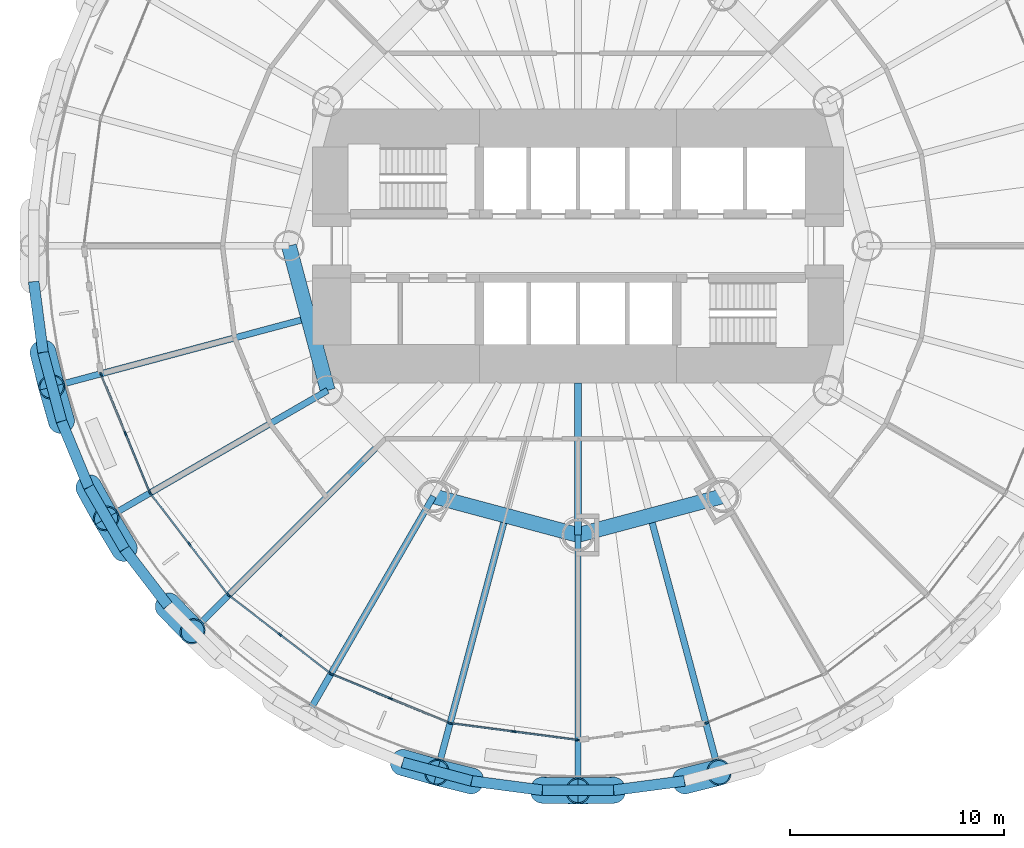
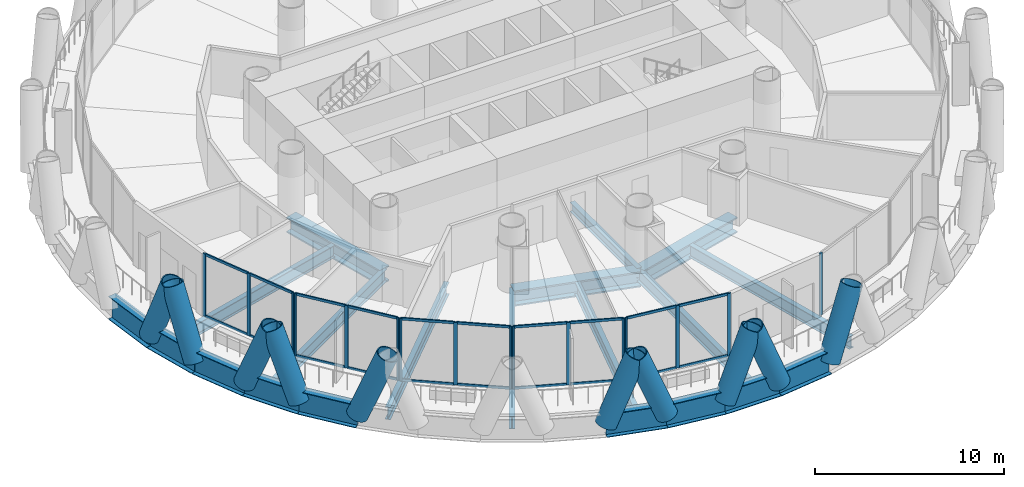
# One storey, part 2 of 16: 46 members, 20 beams, 6 elements without a shape of their own.
"""IFC4 building model written with IfcOpenShell, lengths in metres."""

from ifc_helpers import new_model, si_unit, direction, frame, origin, origin_2d, place, context, subcontext, project, spatial, rectangle, hollow_circle, i_section, extrude, material, material_profile, profile_set, type_object, element, aggregate, save


model = new_model("IFC4")

# Units and contexts
model_context = context("Model", 3, precision=1e-05, world=origin(), true_north=direction((0.0, 1.0)))
body_context = subcontext(model_context, "Body", "Model", "MODEL_VIEW")
ifc_project = project(units=[si_unit("LENGTHUNIT", "METRE"), si_unit("AREAUNIT", "SQUARE_METRE"), si_unit("VOLUMEUNIT", "CUBIC_METRE"), si_unit("PLANEANGLEUNIT", "RADIAN"), si_unit("MASSUNIT", "GRAM", prefix="KILO")], contexts=[model_context])

# Site, building, storey
site_placement = place(None, origin())
site = spatial("IfcSite", under=ifc_project, at=site_placement, CompositionType="ELEMENT")
building_placement = place(site_placement, origin())
building = spatial("IfcBuilding", under=site, at=building_placement, Name="Qaws Media Tower", CompositionType="ELEMENT")
storey_placement = place(building_placement, frame((0.0, 0.0, 89.0)))
storey = spatial("IfcBuildingStorey", under=building, at=storey_placement, Name="L19", CompositionType="ELEMENT", Elevation=89.0)

# Curtain wall, members
ifc_material_1 = material(Name="Aluminium and clear glass", Category="aluminium")
curtain_wall_type = type_object("IfcCurtainWallType", Name="Unitised curtain wall CW-A", PredefinedType="NOTDEFINED", material=ifc_material_1)
curtain_wall_1_placement = place(storey_placement, origin())
curtain_wall_1 = element("IfcCurtainWall", 1, at=curtain_wall_1_placement, inside=storey, type_object=curtain_wall_type, Name="CWA curtain wall L19-14", PredefinedType="NOTDEFINED")
ifc_material_2 = material(Name="Aluminium mullion", Category="aluminium")
ifc_material_profile_1 = material_profile(ifc_material_2, rectangle(XDim=0.080078125, YDim=0.199951171875, at=origin_2d()), Name="80x200")
ifc_profile_set_1 = profile_set([ifc_material_profile_1], Name="Aluminium mullion")
member_type_1 = type_object("IfcMemberType", Name="Curtain wall mullion 80x200", PredefinedType="MULLION", material=ifc_profile_set_1)
member_1_placement = place(storey_placement, frame((37.7265625, 43.99072265625, 0.0), z_axis=(0.0, 0.0, 1.0), x_axis=(0.923879558466, 0.382683369704, 0.0)))
member_1 = element("IfcMember", 2, at=member_1_placement, type_object=member_type_1, Name="CWA mullion 1", PredefinedType="MULLION", context=body_context, shape_type="SweptSolid", body=[
    extrude(rectangle(XDim=0.080078125, YDim=0.199951171875, at=origin_2d()), origin(), (0.0, 0.0, 1.0), 4.0400390625),
])
member_2_placement = place(storey_placement, frame((38.86376953125, 41.2451171875, 0.0), z_axis=(0.0, 0.0, 1.0), x_axis=(0.923879558466, 0.382683369704, 0.0)))
member_2 = element("IfcMember", 3, at=member_2_placement, type_object=member_type_1, Name="CWA mullion 2", PredefinedType="MULLION", context=body_context, shape_type="SweptSolid", body=[
    extrude(rectangle(XDim=0.080078125, YDim=0.199951171875, at=origin_2d()), origin(), (0.0, 0.0, 1.0), 4.0400390625),
])
member_3_placement = place(storey_placement, frame((40.001220703125, 38.49951171875, 0.0), z_axis=(0.0, 0.0, 1.0), x_axis=(0.923879558466, 0.382683369704, 0.0)))
member_3 = element("IfcMember", 4, at=member_3_placement, type_object=member_type_1, Name="CWA mullion 3", PredefinedType="MULLION", context=body_context, shape_type="SweptSolid", body=[
    extrude(rectangle(XDim=0.080078125, YDim=0.199951171875, at=origin_2d()), origin(), (0.0, 0.0, 1.0), 4.0400390625),
])

curtain_wall_2_placement = place(storey_placement, origin())
curtain_wall_2 = element("IfcCurtainWall", 5, at=curtain_wall_2_placement, inside=storey, type_object=curtain_wall_type, Name="CWA curtain wall L19-15", PredefinedType="NOTDEFINED")
member_4_placement = place(storey_placement, frame((40.040771484375, 38.4306640625, 0.0), z_axis=(0.0, 0.0, 1.0), x_axis=(0.793353359129, 0.608761404459, 0.0)))
member_4 = element("IfcMember", 6, at=member_4_placement, type_object=member_type_1, Name="CWA mullion 1", PredefinedType="MULLION", context=body_context, shape_type="SweptSolid", body=[
    extrude(rectangle(XDim=0.080078125, YDim=0.199951171875, at=origin_2d()), origin(), (0.0, 0.0, 1.0), 4.0400390625),
])
member_5_placement = place(storey_placement, frame((41.85009765625, 36.072998046875, 0.0), z_axis=(0.0, 0.0, 1.0), x_axis=(0.793353359129, 0.608761404459, 0.0)))
member_5 = element("IfcMember", 7, at=member_5_placement, type_object=member_type_1, Name="CWA mullion 2", PredefinedType="MULLION", context=body_context, shape_type="SweptSolid", body=[
    extrude(rectangle(XDim=0.080078125, YDim=0.199951171875, at=origin_2d()), origin(), (0.0, 0.0, 1.0), 4.0400390625),
])
member_6_placement = place(storey_placement, frame((43.6591796875, 33.71533203125, 0.0), z_axis=(0.0, 0.0, 1.0), x_axis=(0.793353359129, 0.608761404459, 0.0)))
member_6 = element("IfcMember", 8, at=member_6_placement, type_object=member_type_1, Name="CWA mullion 3", PredefinedType="MULLION", context=body_context, shape_type="SweptSolid", body=[
    extrude(rectangle(XDim=0.080078125, YDim=0.199951171875, at=origin_2d()), origin(), (0.0, 0.0, 1.0), 4.0400390625),
])

curtain_wall_3_placement = place(storey_placement, origin())
curtain_wall_3 = element("IfcCurtainWall", 9, at=curtain_wall_3_placement, inside=storey, type_object=curtain_wall_type, Name="CWA curtain wall L19-16", PredefinedType="NOTDEFINED")
member_7_placement = place(storey_placement, frame((43.71533203125, 33.6591796875, 0.0), z_axis=(0.0, 0.0, 1.0), x_axis=(0.608761404459, 0.793353359129, 0.0)))
member_7 = element("IfcMember", 10, at=member_7_placement, type_object=member_type_1, Name="CWA mullion 1", PredefinedType="MULLION", context=body_context, shape_type="SweptSolid", body=[
    extrude(rectangle(XDim=0.080078125, YDim=0.199951171875, at=origin_2d()), origin(), (0.0, 0.0, 1.0), 4.0400390625),
])
member_8_placement = place(storey_placement, frame((46.072998046875, 31.85009765625, 0.0), z_axis=(0.0, 0.0, 1.0), x_axis=(0.608761404459, 0.793353359129, 0.0)))
member_8 = element("IfcMember", 11, at=member_8_placement, type_object=member_type_1, Name="CWA mullion 2", PredefinedType="MULLION", context=body_context, shape_type="SweptSolid", body=[
    extrude(rectangle(XDim=0.080078125, YDim=0.199951171875, at=origin_2d()), origin(), (0.0, 0.0, 1.0), 4.0400390625),
])
member_9_placement = place(storey_placement, frame((48.4306640625, 30.040771484375, 0.0), z_axis=(0.0, 0.0, 1.0), x_axis=(0.608761404459, 0.793353359129, 0.0)))
member_9 = element("IfcMember", 12, at=member_9_placement, type_object=member_type_1, Name="CWA mullion 3", PredefinedType="MULLION", context=body_context, shape_type="SweptSolid", body=[
    extrude(rectangle(XDim=0.080078125, YDim=0.199951171875, at=origin_2d()), origin(), (0.0, 0.0, 1.0), 4.0400390625),
])

curtain_wall_4_placement = place(storey_placement, origin())
curtain_wall_4 = element("IfcCurtainWall", 13, at=curtain_wall_4_placement, inside=storey, type_object=curtain_wall_type, Name="CWA curtain wall L19-17", PredefinedType="NOTDEFINED")
member_10_placement = place(storey_placement, frame((48.49951171875, 30.001220703125, 0.0), z_axis=(0.0, 0.0, 1.0), x_axis=(0.382683369704, 0.923879558466, 0.0)))
member_10 = element("IfcMember", 14, at=member_10_placement, type_object=member_type_1, Name="CWA mullion 1", PredefinedType="MULLION", context=body_context, shape_type="SweptSolid", body=[
    extrude(rectangle(XDim=0.080078125, YDim=0.199951171875, at=origin_2d()), origin(), (0.0, 0.0, 1.0), 4.0400390625),
])
member_11_placement = place(storey_placement, frame((51.2451171875, 28.86376953125, 0.0), z_axis=(0.0, 0.0, 1.0), x_axis=(0.382683369704, 0.923879558466, 0.0)))
member_11 = element("IfcMember", 15, at=member_11_placement, type_object=member_type_1, Name="CWA mullion 2", PredefinedType="MULLION", context=body_context, shape_type="SweptSolid", body=[
    extrude(rectangle(XDim=0.080078125, YDim=0.199951171875, at=origin_2d()), origin(), (0.0, 0.0, 1.0), 4.0400390625),
])
member_12_placement = place(storey_placement, frame((53.99072265625, 27.7265625, 0.0), z_axis=(0.0, 0.0, 1.0), x_axis=(0.382683369704, 0.923879558466, 0.0)))
member_12 = element("IfcMember", 16, at=member_12_placement, type_object=member_type_1, Name="CWA mullion 3", PredefinedType="MULLION", context=body_context, shape_type="SweptSolid", body=[
    extrude(rectangle(XDim=0.080078125, YDim=0.199951171875, at=origin_2d()), origin(), (0.0, 0.0, 1.0), 4.0400390625),
])

curtain_wall_5_placement = place(storey_placement, origin())
curtain_wall_5 = element("IfcCurtainWall", 17, at=curtain_wall_5_placement, inside=storey, type_object=curtain_wall_type, Name="CWA curtain wall L19-18", PredefinedType="NOTDEFINED")
member_13_placement = place(storey_placement, frame((54.0673828125, 27.7060546875, 0.0), z_axis=(0.0, 0.0, 1.0), x_axis=(0.130526274293, 0.991444850569, 0.0)))
member_13 = element("IfcMember", 18, at=member_13_placement, type_object=member_type_1, Name="CWA mullion 1", PredefinedType="MULLION", context=body_context, shape_type="SweptSolid", body=[
    extrude(rectangle(XDim=0.080078125, YDim=0.199951171875, at=origin_2d()), origin(), (0.0, 0.0, 1.0), 4.0400390625),
])
member_14_placement = place(storey_placement, frame((57.013916015625, 27.318115234375, 0.0), z_axis=(0.0, 0.0, 1.0), x_axis=(0.130526274293, 0.991444850569, 0.0)))
member_14 = element("IfcMember", 19, at=member_14_placement, type_object=member_type_1, Name="CWA mullion 2", PredefinedType="MULLION", context=body_context, shape_type="SweptSolid", body=[
    extrude(rectangle(XDim=0.080078125, YDim=0.199951171875, at=origin_2d()), origin(), (0.0, 0.0, 1.0), 4.0400390625),
])
member_15_placement = place(storey_placement, frame((59.96044921875, 26.93017578125, 0.0), z_axis=(0.0, 0.0, 1.0), x_axis=(0.130526274293, 0.991444850569, 0.0)))
member_15 = element("IfcMember", 20, at=member_15_placement, type_object=member_type_1, Name="CWA mullion 3", PredefinedType="MULLION", context=body_context, shape_type="SweptSolid", body=[
    extrude(rectangle(XDim=0.080078125, YDim=0.199951171875, at=origin_2d()), origin(), (0.0, 0.0, 1.0), 4.0400390625),
])

# Curtain wall, member
curtain_wall_6_placement = place(storey_placement, origin())
curtain_wall_6 = element("IfcCurtainWall", 21, at=curtain_wall_6_placement, inside=storey, type_object=curtain_wall_type, Name="CWA curtain wall L19-20", PredefinedType="NOTDEFINED")
member_16_placement = place(storey_placement, frame((66.00927734375, 27.7265625, 0.0), z_axis=(0.0, 0.0, 1.0), x_axis=(-0.382683369704, 0.923879558466, 0.0)))
member_16 = element("IfcMember", 22, at=member_16_placement, type_object=member_type_1, Name="CWA mullion 1", PredefinedType="MULLION", context=body_context, shape_type="SweptSolid", body=[
    extrude(rectangle(XDim=0.080078125, YDim=0.199951171875, at=origin_2d()), origin(), (0.0, 0.0, 1.0), 4.0400390625),
])
aggregate(curtain_wall_6, [member_16])

# Member
ifc_material_3 = material(Name="Aluminium transom", Category="aluminium")
ifc_material_profile_2 = material_profile(ifc_material_3, rectangle(XDim=0.080078125, YDim=0.159912109375, at=origin_2d()), Name="80x160")
ifc_profile_set_2 = profile_set([ifc_material_profile_2], Name="Aluminium transom")
member_type_2 = type_object("IfcMemberType", Name="Curtain wall transom 80x160", PredefinedType="USERDEFINED", material=ifc_profile_set_2)
member_17_placement = place(storey_placement, frame((37.741943359375, 43.953857421875, 0.0400390625), z_axis=(0.382672391391, -0.923884105755, 0.0), x_axis=(0.923884105755, 0.382672391391, 0.0)))
member_17 = element("IfcMember", 23, at=member_17_placement, type_object=member_type_2, Name="CWA transom 1.1", ObjectType="TRANSOM", PredefinedType="USERDEFINED", context=body_context, shape_type="SweptSolid", body=[
    extrude(rectangle(XDim=0.080078125, YDim=0.159912109375, at=origin_2d()), origin(), (0.0, 0.0, 1.0), 2.89208984375),
])

member_18_placement = place(storey_placement, frame((37.741943359375, 43.953857421875, 4.0), z_axis=(0.382672391391, -0.923884105755, 0.0), x_axis=(0.923884105755, 0.382672391391, 0.0)))
member_18 = element("IfcMember", 24, at=member_18_placement, type_object=member_type_2, Name="CWA transom 1.2", ObjectType="TRANSOM", PredefinedType="USERDEFINED", context=body_context, shape_type="SweptSolid", body=[
    extrude(rectangle(XDim=0.080078125, YDim=0.159912109375, at=origin_2d()), origin(), (0.0, 0.0, 1.0), 2.89208984375),
])

member_19_placement = place(storey_placement, frame((38.879150390625, 41.208251953125, 0.0400390625), z_axis=(0.382672391391, -0.923884105755, 0.0), x_axis=(0.923884105755, 0.382672391391, 0.0)))
member_19 = element("IfcMember", 25, at=member_19_placement, type_object=member_type_2, Name="CWA transom 2.1", ObjectType="TRANSOM", PredefinedType="USERDEFINED", context=body_context, shape_type="SweptSolid", body=[
    extrude(rectangle(XDim=0.080078125, YDim=0.159912109375, at=origin_2d()), origin(), (0.0, 0.0, 1.0), 2.89208984375),
])

member_20_placement = place(storey_placement, frame((38.879150390625, 41.208251953125, 4.0), z_axis=(0.382672391391, -0.923884105755, 0.0), x_axis=(0.923884105755, 0.382672391391, 0.0)))
member_20 = element("IfcMember", 26, at=member_20_placement, type_object=member_type_2, Name="CWA transom 2.2", ObjectType="TRANSOM", PredefinedType="USERDEFINED", context=body_context, shape_type="SweptSolid", body=[
    extrude(rectangle(XDim=0.080078125, YDim=0.159912109375, at=origin_2d()), origin(), (0.0, 0.0, 1.0), 2.89208984375),
])

aggregate(curtain_wall_1, [member_1, member_2, member_3, member_17, member_18, member_19, member_20])

member_21_placement = place(storey_placement, frame((40.065185546875, 38.39892578125, 0.0400390625), z_axis=(0.608784187232, -0.793335876774, 0.0), x_axis=(0.793335876774, 0.608784187232, 0.0)))
member_21 = element("IfcMember", 27, at=member_21_placement, type_object=member_type_2, Name="CWA transom 1.1", ObjectType="TRANSOM", PredefinedType="USERDEFINED", context=body_context, shape_type="SweptSolid", body=[
    extrude(rectangle(XDim=0.080078125, YDim=0.159912109375, at=origin_2d()), origin(), (0.0, 0.0, 1.0), 2.891845703125),
])

member_22_placement = place(storey_placement, frame((40.065185546875, 38.39892578125, 4.0), z_axis=(0.608784187232, -0.793335876774, 0.0), x_axis=(0.793335876774, 0.608784187232, 0.0)))
member_22 = element("IfcMember", 28, at=member_22_placement, type_object=member_type_2, Name="CWA transom 1.2", ObjectType="TRANSOM", PredefinedType="USERDEFINED", context=body_context, shape_type="SweptSolid", body=[
    extrude(rectangle(XDim=0.080078125, YDim=0.159912109375, at=origin_2d()), origin(), (0.0, 0.0, 1.0), 2.891845703125),
])

member_23_placement = place(storey_placement, frame((41.874267578125, 36.041259765625, 0.0400390625), z_axis=(0.608784187232, -0.793335876774, 0.0), x_axis=(0.793335876774, 0.608784187232, 0.0)))
member_23 = element("IfcMember", 29, at=member_23_placement, type_object=member_type_2, Name="CWA transom 2.1", ObjectType="TRANSOM", PredefinedType="USERDEFINED", context=body_context, shape_type="SweptSolid", body=[
    extrude(rectangle(XDim=0.080078125, YDim=0.159912109375, at=origin_2d()), origin(), (0.0, 0.0, 1.0), 2.891845703125),
])

member_24_placement = place(storey_placement, frame((41.874267578125, 36.041259765625, 4.0), z_axis=(0.608784187232, -0.793335876774, 0.0), x_axis=(0.793335876774, 0.608784187232, 0.0)))
member_24 = element("IfcMember", 30, at=member_24_placement, type_object=member_type_2, Name="CWA transom 2.2", ObjectType="TRANSOM", PredefinedType="USERDEFINED", context=body_context, shape_type="SweptSolid", body=[
    extrude(rectangle(XDim=0.080078125, YDim=0.159912109375, at=origin_2d()), origin(), (0.0, 0.0, 1.0), 2.891845703125),
])

aggregate(curtain_wall_2, [member_4, member_5, member_6, member_21, member_22, member_23, member_24])

member_25_placement = place(storey_placement, frame((43.7470703125, 33.634765625, 0.0400390625), z_axis=(0.793335876774, -0.608784187232, 0.0), x_axis=(0.608784187232, 0.793335876774, 0.0)))
member_25 = element("IfcMember", 31, at=member_25_placement, type_object=member_type_2, Name="CWA transom 1.1", ObjectType="TRANSOM", PredefinedType="USERDEFINED", context=body_context, shape_type="SweptSolid", body=[
    extrude(rectangle(XDim=0.080078125, YDim=0.159912109375, at=origin_2d()), origin(), (0.0, 0.0, 1.0), 2.891845703125),
])

member_26_placement = place(storey_placement, frame((43.7470703125, 33.634765625, 4.0), z_axis=(0.793335876774, -0.608784187232, 0.0), x_axis=(0.608784187232, 0.793335876774, 0.0)))
member_26 = element("IfcMember", 32, at=member_26_placement, type_object=member_type_2, Name="CWA transom 1.2", ObjectType="TRANSOM", PredefinedType="USERDEFINED", context=body_context, shape_type="SweptSolid", body=[
    extrude(rectangle(XDim=0.080078125, YDim=0.159912109375, at=origin_2d()), origin(), (0.0, 0.0, 1.0), 2.891845703125),
])

member_27_placement = place(storey_placement, frame((46.104736328125, 31.82568359375, 0.0400390625), z_axis=(0.793335876774, -0.608784187232, 0.0), x_axis=(0.608784187232, 0.793335876774, 0.0)))
member_27 = element("IfcMember", 33, at=member_27_placement, type_object=member_type_2, Name="CWA transom 2.1", ObjectType="TRANSOM", PredefinedType="USERDEFINED", context=body_context, shape_type="SweptSolid", body=[
    extrude(rectangle(XDim=0.080078125, YDim=0.159912109375, at=origin_2d()), origin(), (0.0, 0.0, 1.0), 2.891845703125),
])

member_28_placement = place(storey_placement, frame((46.104736328125, 31.82568359375, 4.0), z_axis=(0.793335876774, -0.608784187232, 0.0), x_axis=(0.608784187232, 0.793335876774, 0.0)))
member_28 = element("IfcMember", 34, at=member_28_placement, type_object=member_type_2, Name="CWA transom 2.2", ObjectType="TRANSOM", PredefinedType="USERDEFINED", context=body_context, shape_type="SweptSolid", body=[
    extrude(rectangle(XDim=0.080078125, YDim=0.159912109375, at=origin_2d()), origin(), (0.0, 0.0, 1.0), 2.891845703125),
])

aggregate(curtain_wall_3, [member_7, member_8, member_9, member_25, member_26, member_27, member_28])

member_29_placement = place(storey_placement, frame((48.536376953125, 29.98583984375, 0.0400390625), z_axis=(0.923884105755, -0.382672391391, 0.0), x_axis=(0.382672391391, 0.923884105755, 0.0)))
member_29 = element("IfcMember", 35, at=member_29_placement, type_object=member_type_2, Name="CWA transom 1.1", ObjectType="TRANSOM", PredefinedType="USERDEFINED", context=body_context, shape_type="SweptSolid", body=[
    extrude(rectangle(XDim=0.080078125, YDim=0.159912109375, at=origin_2d()), origin(), (0.0, 0.0, 1.0), 2.89208984375),
])

member_30_placement = place(storey_placement, frame((48.536376953125, 29.98583984375, 4.0), z_axis=(0.923884105755, -0.382672391391, 0.0), x_axis=(0.382672391391, 0.923884105755, 0.0)))
member_30 = element("IfcMember", 36, at=member_30_placement, type_object=member_type_2, Name="CWA transom 1.2", ObjectType="TRANSOM", PredefinedType="USERDEFINED", context=body_context, shape_type="SweptSolid", body=[
    extrude(rectangle(XDim=0.080078125, YDim=0.159912109375, at=origin_2d()), origin(), (0.0, 0.0, 1.0), 2.89208984375),
])

member_31_placement = place(storey_placement, frame((51.281982421875, 28.8486328125, 0.0400390625), z_axis=(0.923884105755, -0.382672391391, 0.0), x_axis=(0.382672391391, 0.923884105755, 0.0)))
member_31 = element("IfcMember", 37, at=member_31_placement, type_object=member_type_2, Name="CWA transom 2.1", ObjectType="TRANSOM", PredefinedType="USERDEFINED", context=body_context, shape_type="SweptSolid", body=[
    extrude(rectangle(XDim=0.080078125, YDim=0.159912109375, at=origin_2d()), origin(), (0.0, 0.0, 1.0), 2.89208984375),
])

member_32_placement = place(storey_placement, frame((51.281982421875, 28.8486328125, 4.0), z_axis=(0.923884105755, -0.382672391391, 0.0), x_axis=(0.382672391391, 0.923884105755, 0.0)))
member_32 = element("IfcMember", 38, at=member_32_placement, type_object=member_type_2, Name="CWA transom 2.2", ObjectType="TRANSOM", PredefinedType="USERDEFINED", context=body_context, shape_type="SweptSolid", body=[
    extrude(rectangle(XDim=0.080078125, YDim=0.159912109375, at=origin_2d()), origin(), (0.0, 0.0, 1.0), 2.89208984375),
])

aggregate(curtain_wall_4, [member_10, member_11, member_12, member_29, member_30, member_31, member_32])

member_33_placement = place(storey_placement, frame((54.107177734375, 27.700927734375, 0.0400390625), z_axis=(0.991433880547, -0.130609572784, 0.0), x_axis=(0.130609572784, 0.991433880547, 0.0)))
member_33 = element("IfcMember", 39, at=member_33_placement, type_object=member_type_2, Name="CWA transom 1.1", ObjectType="TRANSOM", PredefinedType="USERDEFINED", context=body_context, shape_type="SweptSolid", body=[
    extrude(rectangle(XDim=0.080078125, YDim=0.159912109375, at=origin_2d()), origin(), (0.0, 0.0, 1.0), 2.8916015625),
])

member_34_placement = place(storey_placement, frame((54.107177734375, 27.700927734375, 4.0), z_axis=(0.991433880547, -0.130609572784, 0.0), x_axis=(0.130609572784, 0.991433880547, 0.0)))
member_34 = element("IfcMember", 40, at=member_34_placement, type_object=member_type_2, Name="CWA transom 1.2", ObjectType="TRANSOM", PredefinedType="USERDEFINED", context=body_context, shape_type="SweptSolid", body=[
    extrude(rectangle(XDim=0.080078125, YDim=0.159912109375, at=origin_2d()), origin(), (0.0, 0.0, 1.0), 2.8916015625),
])

member_35_placement = place(storey_placement, frame((57.053466796875, 27.31298828125, 0.0400390625), z_axis=(0.99144624804, -0.130515659015, 0.0), x_axis=(0.130515659015, 0.99144624804, 0.0)))
member_35 = element("IfcMember", 41, at=member_35_placement, type_object=member_type_2, Name="CWA transom 2.1", ObjectType="TRANSOM", PredefinedType="USERDEFINED", context=body_context, shape_type="SweptSolid", body=[
    extrude(rectangle(XDim=0.080078125, YDim=0.159912109375, at=origin_2d()), origin(), (0.0, 0.0, 1.0), 2.891845703125),
])

member_36_placement = place(storey_placement, frame((57.053466796875, 27.31298828125, 4.0), z_axis=(0.99144624804, -0.130515659015, 0.0), x_axis=(0.130515659015, 0.99144624804, 0.0)))
member_36 = element("IfcMember", 42, at=member_36_placement, type_object=member_type_2, Name="CWA transom 2.2", ObjectType="TRANSOM", PredefinedType="USERDEFINED", context=body_context, shape_type="SweptSolid", body=[
    extrude(rectangle(XDim=0.080078125, YDim=0.159912109375, at=origin_2d()), origin(), (0.0, 0.0, 1.0), 2.891845703125),
])

aggregate(curtain_wall_5, [member_13, member_14, member_15, member_33, member_34, member_35, member_36])

# Members
ifc_material_4 = material(Name="Steel S460", Category="steel")
ifc_material_profile_3 = material_profile(ifc_material_4, hollow_circle(Radius=0.609619140625, WallThickness=0.06005859375, at=origin_2d()), Name="CHS 1219x60")
ifc_profile_set_3 = profile_set([ifc_material_profile_3], Name="Steel S460")
member_type_3 = type_object("IfcMemberType", Name="Diagrid member CHS 1219x60", PredefinedType="USERDEFINED", material=ifc_profile_set_3)
for number, where, z_axis, x_axis, name in (
    (43, (35.014404296875, 45.030029296875, -0.909912109375), (0.089152749117, -0.357853731759, 0.929511965491), (0.970340396506, 0.241742662575, 0.0), "DG1 diagrid L19 A13"),
    (44, (37.152099609375, 38.732666015625, -0.909912109375), (0.178735386031, -0.322620613661, 0.929499651114), (0.874730213858, 0.484610207242, 0.0), "DG1 diagrid L19 A14"),
    (45, (35.876953125, 41.811279296875, -0.909912109375), (-0.101741339373, 0.354500758165, 0.929504121736), (-0.961197096525, -0.275862541191, 0.0), "DG1 diagrid L19 B14"),
    (46, (40.846923828125, 33.203125, -0.909912109375), (0.256111948057, -0.265351429728, 0.929513468866), (0.719522626734, 0.694468998313, 0.0), "DG1 diagrid L19 A15"),
):
    element("IfcMember", number, at=place(storey_placement, frame(where, z_axis=z_axis, x_axis=x_axis)), inside=storey, type_object=member_type_3, Name=name, ObjectType="DIAGRID", PredefinedType="USERDEFINED", context=body_context, shape_type="SweptSolid", body=[
        extrude(hollow_circle(Radius=0.609619140625, WallThickness=0.06005859375, at=origin_2d()), origin(), (0.0, 0.0, 1.0), 4.5185546875),
    ])
member_37_placement = place(storey_placement, frame((38.818359375, 35.846923828125, -0.909912109375), z_axis=(-0.190032249438, 0.316036004254, 0.929520837953), x_axis=(-0.857001258538, -0.515314314631, 0.0)))
element("IfcMember", 47, at=member_37_placement, inside=storey, type_object=member_type_3, Name="DG1 diagrid L19 B15", ObjectType="DIAGRID", PredefinedType="USERDEFINED", context=body_context, shape_type="SweptSolid", body=[
    extrude(hollow_circle(Radius=0.609619140625, WallThickness=0.06005859375, at=origin_2d()), origin(), (0.0, 0.0, 1.0), 4.518310546875),
])
for number, where, z_axis, x_axis, name in (
    (48, (51.811279296875, 25.876953125, -0.909912109375), (0.354500758165, -0.101741339373, 0.929504121736), (0.275862541191, 0.961197096525, 0.0), "DG1 diagrid L19 A17"),
    (49, (58.333740234375, 24.57958984375, -0.909912109375), (0.368763540313, -0.006537785843, 0.929500246741), (0.017726152148, 0.999842879422, 0.0), "DG1 diagrid L19 A18"),
    (50, (55.030029296875, 25.014404296875, -0.909912109375), (-0.357853731759, 0.089152749117, 0.929511965491), (-0.241742662575, -0.970340396506, 0.0), "DG1 diagrid L19 B18"),
    (51, (64.969970703125, 25.014404296875, -0.909912109375), (0.357853731759, 0.089152749117, 0.929511965491), (-0.241742662575, 0.970340396506, 0.0), "DG1 diagrid L19 A19"),
    (52, (61.666259765625, 24.57958984375, -0.909912109375), (-0.368763540313, -0.006537785843, 0.929500246741), (0.017726152148, -0.999842879422, 0.0), "DG1 diagrid L19 B19"),
):
    element("IfcMember", number, at=place(storey_placement, frame(where, z_axis=z_axis, x_axis=x_axis)), inside=storey, type_object=member_type_3, Name=name, ObjectType="DIAGRID", PredefinedType="USERDEFINED", context=body_context, shape_type="SweptSolid", body=[
        extrude(hollow_circle(Radius=0.609619140625, WallThickness=0.06005859375, at=origin_2d()), origin(), (0.0, 0.0, 1.0), 4.5185546875),
    ])

# Beams
ifc_material_5 = material(Name="Steel S460", Category="steel")
ifc_material_profile_4 = material_profile(ifc_material_5, i_section(OverallWidth=0.5, OverallDepth=1.5, WebThickness=0.02001953125, FlangeThickness=0.0400390625, at=origin_2d()), Name="PG 1500x500")
ifc_profile_set_4 = profile_set([ifc_material_profile_4], Name="Steel S460")
beam_type_1 = type_object("IfcBeamType", Name="Edge ring beam PG 1500x500", PredefinedType="BEAM", material=ifc_profile_set_4)
for number, where, z_axis, x_axis, name in (
    (53, (34.57958984375, 48.333740234375, -0.909912109375), (0.130488627311, -0.991449806164, 0.0), (0.991449806164, 0.130488627311, 0.0), "RB4 edge ring beam L19-25"),
    (54, (35.014404296875, 45.030029296875, -0.909912109375), (0.258843506265, -0.965919271608, 0.0), (0.965919271608, 0.258843506265, 0.0), "RB4 edge ring beam L19-26"),
    (55, (35.876953125, 41.811279296875, -0.909912109375), (0.38266885996, -0.923885568465, 0.0), (0.923885568465, 0.38266885996, 0.0), "RB4 edge ring beam L19-27"),
    (56, (37.152099609375, 38.732666015625, -0.909912109375), (0.500039553057, -0.866002566612, 0.0), (0.866002566612, 0.500039553057, 0.0), "RB4 edge ring beam L19-28"),
    (57, (38.818359375, 35.846923828125, -0.909912109375), (0.608743723817, -0.793366925649, 0.0), (0.793366925649, 0.608743723817, 0.0), "RB4 edge ring beam L19-29"),
    (58, (51.811279296875, 25.876953125, -0.909912109375), (0.965919271608, -0.258843506265, 0.0), (0.258843506265, 0.965919271608, 0.0), "RB4 edge ring beam L19-34"),
    (59, (55.030029296875, 25.014404296875, -0.909912109375), (0.991449806164, -0.130488627311, 0.0), (0.130488627311, 0.991449806164, 0.0), "RB4 edge ring beam L19-35"),
):
    element("IfcBeam", number, at=place(storey_placement, frame(where, z_axis=z_axis, x_axis=x_axis)), inside=storey, type_object=beam_type_1, Name=name, PredefinedType="BEAM", context=body_context, shape_type="SweptSolid", body=[
        extrude(i_section(OverallWidth=0.5, OverallDepth=1.5, WebThickness=0.02001953125, FlangeThickness=0.0400390625, at=origin_2d()), origin(), (0.0, 0.0, 1.0), 3.332275390625),
    ])
beam_1_placement = place(storey_placement, frame((58.333740234375, 24.57958984375, -0.909912109375), z_axis=(1.0, 0.0, 0.0), x_axis=(0.0, 1.0, 0.0)))
element("IfcBeam", 60, at=beam_1_placement, inside=storey, type_object=beam_type_1, Name="RB4 edge ring beam L19-36", PredefinedType="BEAM", context=body_context, shape_type="SweptSolid", body=[
    extrude(i_section(OverallWidth=0.5, OverallDepth=1.5, WebThickness=0.02001953125, FlangeThickness=0.0400390625, at=origin_2d()), origin(), (0.0, 0.0, 1.0), 3.33251953125),
])
beam_2_placement = place(storey_placement, frame((61.666259765625, 24.57958984375, -0.909912109375), z_axis=(0.991449806164, 0.130488627311, 0.0), x_axis=(-0.130488627311, 0.991449806164, 0.0)))
element("IfcBeam", 61, at=beam_2_placement, inside=storey, type_object=beam_type_1, Name="RB4 edge ring beam L19-37", PredefinedType="BEAM", context=body_context, shape_type="SweptSolid", body=[
    extrude(i_section(OverallWidth=0.5, OverallDepth=1.5, WebThickness=0.02001953125, FlangeThickness=0.0400390625, at=origin_2d()), origin(), (0.0, 0.0, 1.0), 3.332275390625),
])
ifc_material_6 = material(Name="Steel S460", Category="steel")
ifc_material_profile_5 = material_profile(ifc_material_6, i_section(OverallWidth=0.699951171875, OverallDepth=1.0, WebThickness=0.034912109375, FlangeThickness=0.090087890625, at=origin_2d()), Name="PG 1000x700")
ifc_profile_set_5 = profile_set([ifc_material_profile_5], Name="Steel S460")
beam_type_2 = type_object("IfcBeamType", Name="Inner ring girder PG 1000x700", PredefinedType="BEAM", material=ifc_profile_set_5)
for number, where, z_axis, x_axis, name in (
    (62, (46.5, 50.0, -0.659912109375), (0.258810593767, -0.965928090778, 0.0), (0.965928090778, 0.258810593767, 0.0), "B3 inner ring beam L19 I07-I08"),
    (63, (53.25, 38.30859375, -0.659912109375), (0.965928090778, -0.258810593767, 0.0), (0.258810593767, 0.965928090778, 0.0), "B3 inner ring beam L19 I09-I10"),
    (64, (60.0, 36.5, -0.659912109375), (0.965928090778, 0.258810593767, 0.0), (-0.258810593767, 0.965928090778, 0.0), "B3 inner ring beam L19 I10-I11"),
):
    element("IfcBeam", number, at=place(storey_placement, frame(where, z_axis=z_axis, x_axis=x_axis)), inside=storey, type_object=beam_type_2, Name=name, PredefinedType="BEAM", context=body_context, shape_type="SweptSolid", body=[
        extrude(i_section(OverallWidth=0.699951171875, OverallDepth=1.0, WebThickness=0.034912109375, FlangeThickness=0.090087890625, at=origin_2d()), origin(), (0.0, 0.0, 1.0), 6.988037109375),
    ])
ifc_material_7 = material(Name="Steel S355", Category="steel")
ifc_material_profile_6 = material_profile(ifc_material_7, i_section(OverallWidth=0.304931640625, OverallDepth=0.6201171875, WebThickness=0.02099609375, FlangeThickness=0.0400390625, FilletRadius=0.027099609375, at=origin_2d()), Name="HE 600 M")
ifc_profile_set_6 = profile_set([ifc_material_profile_6], Name="Steel S355")
beam_type_3 = type_object("IfcBeamType", Name="Radial beam HE 600 M, core side", PredefinedType="BEAM", material=ifc_profile_set_6)
beam_3_placement = place(storey_placement, frame((60.0, 43.60009765625, -0.469970703125), z_axis=(0.0, -1.0, 0.0), x_axis=(1.0, 0.0, 0.0)))
element("IfcBeam", 65, at=beam_3_placement, inside=storey, type_object=beam_type_3, Name="B2 radial beam L19 19", PredefinedType="BEAM", context=body_context, shape_type="SweptSolid", body=[
    extrude(i_section(OverallWidth=0.304931640625, OverallDepth=0.6201171875, WebThickness=0.02099609375, FlangeThickness=0.0400390625, FilletRadius=0.027099609375, at=origin_2d()), origin(), (0.0, 0.0, 1.0), 7.10009765625),
])
ifc_material_8 = material(Name="Steel S355", Category="steel")
ifc_material_profile_7 = material_profile(ifc_material_8, i_section(OverallWidth=0.300048828125, OverallDepth=0.800048828125, WebThickness=0.017578125, FlangeThickness=0.032958984375, FilletRadius=0.030029296875, at=origin_2d()), Name="HE 800 B")
ifc_profile_set_7 = profile_set([ifc_material_profile_7], Name="Steel S355")
beam_type_4 = type_object("IfcBeamType", Name="Radial beam HE 800 B", PredefinedType="BEAM", material=ifc_profile_set_7)
beam_4_placement = place(storey_placement, frame((47.066162109375, 46.534423828125, -0.56005859375), z_axis=(-0.9659236838, -0.258827040847, 0.0), x_axis=(0.258827040847, -0.9659236838, 0.0)))
element("IfcBeam", 66, at=beam_4_placement, inside=storey, type_object=beam_type_4, Name="B1 radial beam L19 14", PredefinedType="BEAM", context=body_context, shape_type="SweptSolid", body=[
    extrude(i_section(OverallWidth=0.300048828125, OverallDepth=0.800048828125, WebThickness=0.017578125, FlangeThickness=0.032958984375, FilletRadius=0.030029296875, at=origin_2d()), origin(), (0.0, 0.0, 1.0), 12.0302734375),
])
beam_5_placement = place(storey_placement, frame((48.30859375, 43.25, -0.56005859375), z_axis=(-0.866022555029, -0.500004934157, 0.0), x_axis=(0.500004934157, -0.866022555029, 0.0)))
element("IfcBeam", 67, at=beam_5_placement, inside=storey, type_object=beam_type_4, Name="B1 radial beam L19 15", PredefinedType="BEAM", context=body_context, shape_type="SweptSolid", body=[
    extrude(i_section(OverallWidth=0.300048828125, OverallDepth=0.800048828125, WebThickness=0.017578125, FlangeThickness=0.032958984375, FilletRadius=0.030029296875, at=origin_2d()), origin(), (0.0, 0.0, 1.0), 11.92041015625),
])
beam_6_placement = place(storey_placement, frame((50.53173828125, 40.53173828125, -0.56005859375), z_axis=(-0.707106781187, -0.707106781187, 0.0), x_axis=(0.707106781187, -0.707106781187, 0.0)))
element("IfcBeam", 68, at=beam_6_placement, inside=storey, type_object=beam_type_4, Name="B1 radial beam L19 16", PredefinedType="BEAM", context=body_context, shape_type="SweptSolid", body=[
    extrude(i_section(OverallWidth=0.300048828125, OverallDepth=0.800048828125, WebThickness=0.017578125, FlangeThickness=0.032958984375, FilletRadius=0.030029296875, at=origin_2d()), origin(), (0.0, 0.0, 1.0), 12.030517578125),
])
beam_7_placement = place(storey_placement, frame((53.25, 38.30859375, -0.56005859375), z_axis=(-0.500004934157, -0.866022555029, 0.0), x_axis=(0.866022555029, -0.500004934157, 0.0)))
element("IfcBeam", 69, at=beam_7_placement, inside=storey, type_object=beam_type_4, Name="B1 radial beam L19 17", PredefinedType="BEAM", context=body_context, shape_type="SweptSolid", body=[
    extrude(i_section(OverallWidth=0.300048828125, OverallDepth=0.800048828125, WebThickness=0.017578125, FlangeThickness=0.032958984375, FilletRadius=0.030029296875, at=origin_2d()), origin(), (0.0, 0.0, 1.0), 11.92041015625),
])
beam_8_placement = place(storey_placement, frame((56.534423828125, 37.066162109375, -0.56005859375), z_axis=(-0.258827040847, -0.9659236838, 0.0), x_axis=(0.9659236838, -0.258827040847, 0.0)))
element("IfcBeam", 70, at=beam_8_placement, inside=storey, type_object=beam_type_4, Name="B1 radial beam L19 18", PredefinedType="BEAM", context=body_context, shape_type="SweptSolid", body=[
    extrude(i_section(OverallWidth=0.300048828125, OverallDepth=0.800048828125, WebThickness=0.017578125, FlangeThickness=0.032958984375, FilletRadius=0.030029296875, at=origin_2d()), origin(), (0.0, 0.0, 1.0), 12.0302734375),
])
beam_9_placement = place(storey_placement, frame((60.0, 36.5, -0.56005859375), z_axis=(0.0, -1.0, 0.0), x_axis=(1.0, 0.0, 0.0)))
element("IfcBeam", 71, at=beam_9_placement, inside=storey, type_object=beam_type_4, Name="B1 radial beam L19 19", PredefinedType="BEAM", context=body_context, shape_type="SweptSolid", body=[
    extrude(i_section(OverallWidth=0.300048828125, OverallDepth=0.800048828125, WebThickness=0.017578125, FlangeThickness=0.032958984375, FilletRadius=0.030029296875, at=origin_2d()), origin(), (0.0, 0.0, 1.0), 11.92041015625),
])
beam_10_placement = place(storey_placement, frame((63.465576171875, 37.066162109375, -0.56005859375), z_axis=(0.258827040847, -0.9659236838, 0.0), x_axis=(0.9659236838, 0.258827040847, 0.0)))
element("IfcBeam", 72, at=beam_10_placement, inside=storey, type_object=beam_type_4, Name="B1 radial beam L19 20", PredefinedType="BEAM", context=body_context, shape_type="SweptSolid", body=[
    extrude(i_section(OverallWidth=0.300048828125, OverallDepth=0.800048828125, WebThickness=0.017578125, FlangeThickness=0.032958984375, FilletRadius=0.030029296875, at=origin_2d()), origin(), (0.0, 0.0, 1.0), 12.0302734375),
])

save(model, "model.ifc")
